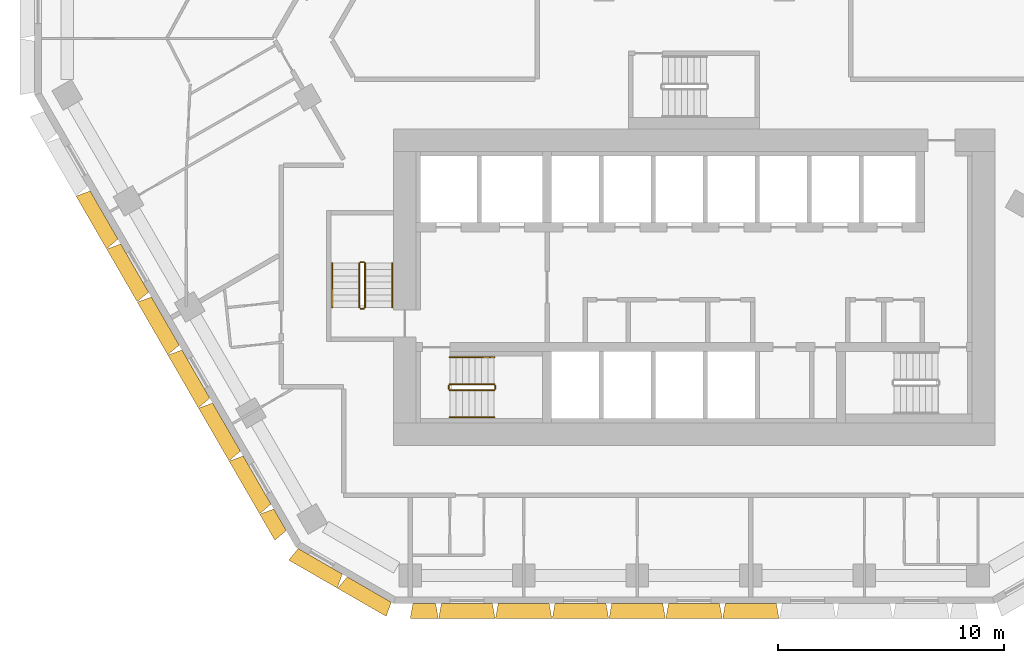
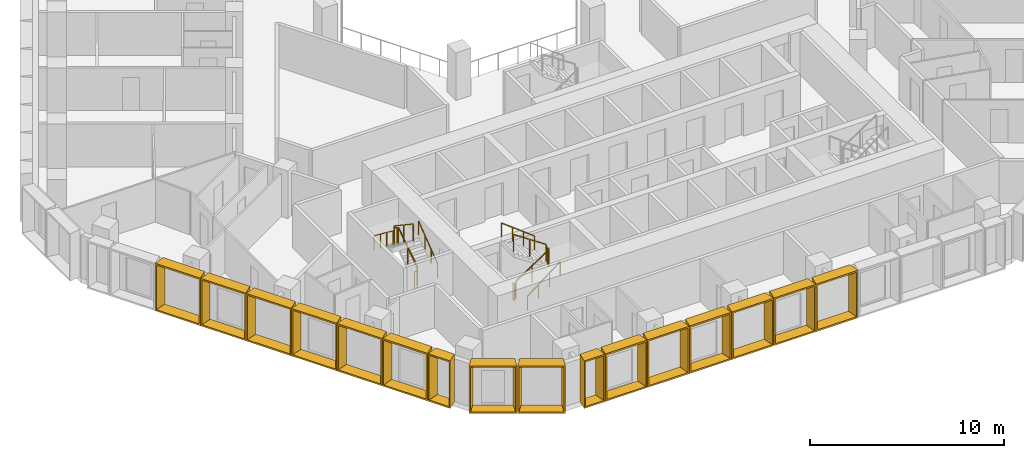
# One storey, part 13 of 16: 16 shading devices, 12 railings.
"""IFC4 building model written with IfcOpenShell, lengths in metres."""

from ifc_helpers import new_model, entity, si_unit, direction, frame, origin, origin_2d, place, context, subcontext, project, spatial, rectangle, extrude, source, transform, mapped, material, type_object, type_shapes, element, save


model = new_model("IFC4")

# Units and contexts
model_context = context("Model", 3, precision=1e-05, world=origin(), true_north=direction((0.0, 1.0)))
body_context = subcontext(model_context, "Body", "Model", "MODEL_VIEW")
ifc_project = project(units=[si_unit("LENGTHUNIT", "METRE"), si_unit("AREAUNIT", "SQUARE_METRE"), si_unit("VOLUMEUNIT", "CUBIC_METRE"), si_unit("PLANEANGLEUNIT", "RADIAN"), si_unit("MASSUNIT", "GRAM", prefix="KILO")], contexts=[model_context])

# Site, building, storey
site_placement = place(None, origin())
site = spatial("IfcSite", under=ifc_project, at=site_placement, CompositionType="ELEMENT")
building_placement = place(site_placement, origin())
building = spatial("IfcBuilding", under=site, at=building_placement, Name="Beryl Residences", CompositionType="ELEMENT")
storey_placement = place(building_placement, frame((0.0, 0.0, 96.0)))
storey = spatial("IfcBuildingStorey", under=building, at=storey_placement, Name="L29", CompositionType="ELEMENT", Elevation=96.0)

# Shading devices
ifc_material_1 = material(Name="Aluminium pale anodised", Category="aluminium")
shading_device_type_1 = type_object("IfcShadingDeviceType", Name="FR126-65A OUTER SKIN frame 650 mm deep, splay 10/10 deg, 1260 x 3000 mm cell", PredefinedType="USERDEFINED", material=ifc_material_1)
cartesian_point_1 = entity("IfcCartesianPoint", [-0.5048828125, 0.0])
cartesian_point_2 = entity("IfcCartesianPoint", [-0.423828125, 0.10009765625])
cartesian_point_3 = entity("IfcCartesianPoint", [-0.61962890625, 0.0])
cartesian_point_4 = entity("IfcCartesianPoint", [-0.538330078125, 0.10009765625])
shared_shape_1 = source(origin(), body_context, "Body", "SweptSolid", [
    entity("IfcExtrudedAreaSolidTapered", entity("IfcArbitraryProfileDefWithVoids", "AREA", None, entity("IfcPolyline", [cartesian_point_1, entity("IfcCartesianPoint", [0.5048828125, 0.0]), entity("IfcCartesianPoint", [0.5048828125, 3.0]), entity("IfcCartesianPoint", [-0.5048828125, 3.0]), cartesian_point_1]), [entity("IfcPolyline", [cartesian_point_2, entity("IfcCartesianPoint", [0.423828125, 0.10009765625]), entity("IfcCartesianPoint", [0.423828125, 2.89990234375]), entity("IfcCartesianPoint", [-0.423828125, 2.89990234375]), cartesian_point_2])]), entity("IfcAxis2Placement3D", entity("IfcCartesianPoint", [0.0, 0.0, 0.0]), entity("IfcDirection", [0.0, 1.0, 0.0]), entity("IfcDirection", [-1.0, 0.0, 0.0])), entity("IfcDirection", [0.0, 0.0, 1.0]), 0.64990234375, entity("IfcArbitraryProfileDefWithVoids", "AREA", None, entity("IfcPolyline", [cartesian_point_3, entity("IfcCartesianPoint", [0.61962890625, 0.0]), entity("IfcCartesianPoint", [0.61962890625, 3.0]), entity("IfcCartesianPoint", [-0.61962890625, 3.0]), cartesian_point_3]), [entity("IfcPolyline", [cartesian_point_4, entity("IfcCartesianPoint", [0.538330078125, 0.10009765625]), entity("IfcCartesianPoint", [0.538330078125, 2.89990234375]), entity("IfcCartesianPoint", [-0.538330078125, 2.89990234375]), cartesian_point_4])])),
])
type_shapes(shading_device_type_1, [shared_shape_1])
shading_device_1_placement = place(storey_placement, frame((-11.928955078125, -26.0, 0.0), z_axis=(0.0, 0.0, 1.0), x_axis=(-1.0, 0.0, 0.0)))
element("IfcShadingDevice", 1, at=shading_device_1_placement, inside=storey, type_object=shading_device_type_1, Name="FR126-65A frame L29 S 1", ObjectType="OUTER SKIN", PredefinedType="USERDEFINED", context=body_context, shape_type="MappedRepresentation", body=[
    mapped(shared_shape_1, transform((0.0, 0.0, 0.0))),
])
ifc_material_2 = material(Name="Aluminium pale anodised", Category="aluminium")
shading_device_type_2 = type_object("IfcShadingDeviceType", Name="FR135-65A OUTER SKIN frame 650 mm deep, splay 10/10 deg, 1350 x 3000 mm cell", PredefinedType="USERDEFINED", material=ifc_material_2)
cartesian_point_5 = entity("IfcCartesianPoint", [-0.550048828125, 0.0])
cartesian_point_6 = entity("IfcCartesianPoint", [-0.46875, 0.10009765625])
cartesian_point_7 = entity("IfcCartesianPoint", [-0.66455078125, 0.0])
cartesian_point_8 = entity("IfcCartesianPoint", [-0.58349609375, 0.10009765625])
shared_shape_2 = source(origin(), body_context, "Body", "SweptSolid", [
    entity("IfcExtrudedAreaSolidTapered", entity("IfcArbitraryProfileDefWithVoids", "AREA", None, entity("IfcPolyline", [cartesian_point_5, entity("IfcCartesianPoint", [0.550048828125, 0.0]), entity("IfcCartesianPoint", [0.550048828125, 3.0]), entity("IfcCartesianPoint", [-0.550048828125, 3.0]), cartesian_point_5]), [entity("IfcPolyline", [cartesian_point_6, entity("IfcCartesianPoint", [0.46875, 0.10009765625]), entity("IfcCartesianPoint", [0.46875, 2.89990234375]), entity("IfcCartesianPoint", [-0.46875, 2.89990234375]), cartesian_point_6])]), entity("IfcAxis2Placement3D", entity("IfcCartesianPoint", [0.0, 0.0, 0.0]), entity("IfcDirection", [0.0, 1.0, 0.0]), entity("IfcDirection", [-1.0, 0.0, 0.0])), entity("IfcDirection", [0.0, 0.0, 1.0]), 0.64990234375, entity("IfcArbitraryProfileDefWithVoids", "AREA", None, entity("IfcPolyline", [cartesian_point_7, entity("IfcCartesianPoint", [0.66455078125, 0.0]), entity("IfcCartesianPoint", [0.66455078125, 3.0]), entity("IfcCartesianPoint", [-0.66455078125, 3.0]), cartesian_point_7]), [entity("IfcPolyline", [cartesian_point_8, entity("IfcCartesianPoint", [0.58349609375, 0.10009765625]), entity("IfcCartesianPoint", [0.58349609375, 2.89990234375]), entity("IfcCartesianPoint", [-0.58349609375, 2.89990234375]), cartesian_point_8])])),
])
type_shapes(shading_device_type_2, [shared_shape_2])
shading_device_2_placement = place(storey_placement, frame((-18.30810546875, -22.2900390625, 0.0), z_axis=(0.0, 0.0, 1.0), x_axis=(-0.5, 0.866025403784, 0.0)))
element("IfcShadingDevice", 2, at=shading_device_2_placement, inside=storey, type_object=shading_device_type_2, Name="FR135-65A frame L29 SW 9", ObjectType="OUTER SKIN", PredefinedType="USERDEFINED", context=body_context, shape_type="MappedRepresentation", body=[
    mapped(shared_shape_2, transform((0.0, 0.0, 0.0))),
])
ifc_material_3 = material(Name="Aluminium pale anodised", Category="aluminium")
shading_device_type_3 = type_object("IfcShadingDeviceType", Name="FR250-65A OUTER SKIN frame 650 mm deep, splay 10/10 deg, 2500 x 3000 mm cell", PredefinedType="USERDEFINED", material=ifc_material_3)
cartesian_point_9 = entity("IfcCartesianPoint", [-1.125, 0.0])
cartesian_point_10 = entity("IfcCartesianPoint", [-1.043701171875, 0.10009765625])
cartesian_point_11 = entity("IfcCartesianPoint", [-1.239501953125, 0.0])
cartesian_point_12 = entity("IfcCartesianPoint", [-1.158447265625, 0.10009765625])
shared_shape_3 = source(origin(), body_context, "Body", "SweptSolid", [
    entity("IfcExtrudedAreaSolidTapered", entity("IfcArbitraryProfileDefWithVoids", "AREA", None, entity("IfcPolyline", [cartesian_point_9, entity("IfcCartesianPoint", [1.125, 0.0]), entity("IfcCartesianPoint", [1.125, 3.0]), entity("IfcCartesianPoint", [-1.125, 3.0]), cartesian_point_9]), [entity("IfcPolyline", [cartesian_point_10, entity("IfcCartesianPoint", [1.043701171875, 0.10009765625]), entity("IfcCartesianPoint", [1.043701171875, 2.89990234375]), entity("IfcCartesianPoint", [-1.043701171875, 2.89990234375]), cartesian_point_10])]), entity("IfcAxis2Placement3D", entity("IfcCartesianPoint", [0.0, 0.0, 0.0]), entity("IfcDirection", [0.0, 1.0, 0.0]), entity("IfcDirection", [-1.0, 0.0, 0.0])), entity("IfcDirection", [0.0, 0.0, 1.0]), 0.64990234375, entity("IfcArbitraryProfileDefWithVoids", "AREA", None, entity("IfcPolyline", [cartesian_point_11, entity("IfcCartesianPoint", [1.239501953125, 0.0]), entity("IfcCartesianPoint", [1.239501953125, 3.0]), entity("IfcCartesianPoint", [-1.239501953125, 3.0]), cartesian_point_11]), [entity("IfcPolyline", [cartesian_point_12, entity("IfcCartesianPoint", [1.158447265625, 0.10009765625]), entity("IfcCartesianPoint", [1.158447265625, 2.89990234375]), entity("IfcCartesianPoint", [-1.158447265625, 2.89990234375]), cartesian_point_12])])),
])
type_shapes(shading_device_type_3, [shared_shape_3])
for number, where, z_axis, x_axis, name in (
    (3, (-16.527099609375, -24.125, 0.0), (0.0, 0.0, 1.0), (-0.866025403784, 0.5, 0.0), "FR250-65A frame L29 SW-S 1"),
    (4, (-14.361083984375, -25.375, 0.0), (0.0, 0.0, 1.0), (-0.866025403784, 0.5, 0.0), "FR250-65A frame L29 SW-S 2"),
):
    element("IfcShadingDevice", number, at=place(storey_placement, frame(where, z_axis=z_axis, x_axis=x_axis)), inside=storey, type_object=shading_device_type_3, Name=name, ObjectType="OUTER SKIN", PredefinedType="USERDEFINED", context=body_context, shape_type="MappedRepresentation", body=[
        mapped(shared_shape_3, transform((0.0, 0.0, 0.0))),
    ])
ifc_material_4 = material(Name="Aluminium pale anodised", Category="aluminium")
shading_device_type_4 = type_object("IfcShadingDeviceType", Name="FR251-65A OUTER SKIN frame 650 mm deep, splay 10/10 deg, 2510 x 3000 mm cell", PredefinedType="USERDEFINED", material=ifc_material_4)
cartesian_point_13 = entity("IfcCartesianPoint", [-1.1298828125, 0.0])
cartesian_point_14 = entity("IfcCartesianPoint", [-1.048828125, 0.10009765625])
cartesian_point_15 = entity("IfcCartesianPoint", [-1.24462890625, 0.0])
cartesian_point_16 = entity("IfcCartesianPoint", [-1.163330078125, 0.10009765625])
shared_shape_4 = source(origin(), body_context, "Body", "SweptSolid", [
    entity("IfcExtrudedAreaSolidTapered", entity("IfcArbitraryProfileDefWithVoids", "AREA", None, entity("IfcPolyline", [cartesian_point_13, entity("IfcCartesianPoint", [1.1298828125, 0.0]), entity("IfcCartesianPoint", [1.1298828125, 3.0]), entity("IfcCartesianPoint", [-1.1298828125, 3.0]), cartesian_point_13]), [entity("IfcPolyline", [cartesian_point_14, entity("IfcCartesianPoint", [1.048828125, 0.10009765625]), entity("IfcCartesianPoint", [1.048828125, 2.89990234375]), entity("IfcCartesianPoint", [-1.048828125, 2.89990234375]), cartesian_point_14])]), entity("IfcAxis2Placement3D", entity("IfcCartesianPoint", [0.0, 0.0, 0.0]), entity("IfcDirection", [0.0, 1.0, 0.0]), entity("IfcDirection", [-1.0, 0.0, 0.0])), entity("IfcDirection", [0.0, 0.0, 1.0]), 0.64990234375, entity("IfcArbitraryProfileDefWithVoids", "AREA", None, entity("IfcPolyline", [cartesian_point_15, entity("IfcCartesianPoint", [1.24462890625, 0.0]), entity("IfcCartesianPoint", [1.24462890625, 3.0]), entity("IfcCartesianPoint", [-1.24462890625, 3.0]), cartesian_point_15]), [entity("IfcPolyline", [cartesian_point_16, entity("IfcCartesianPoint", [1.163330078125, 0.10009765625]), entity("IfcCartesianPoint", [1.163330078125, 2.89990234375]), entity("IfcCartesianPoint", [-1.163330078125, 2.89990234375]), cartesian_point_16])])),
])
type_shapes(shading_device_type_4, [shared_shape_4])
for number, where, z_axis, x_axis, name in (
    (5, (-10.0458984375, -26.0, 0.0), (0.0, 0.0, 1.0), (-1.0, 0.0, 0.0), "FR251-65A frame L29 S 2"),
    (6, (-7.533935546875, -26.0, 0.0), (0.0, 0.0, 1.0), (-1.0, 0.0, 0.0), "FR251-65A frame L29 S 3"),
    (7, (-5.02197265625, -26.0, 0.0), (0.0, 0.0, 1.0), (-1.0, 0.0, 0.0), "FR251-65A frame L29 S 4"),
    (8, (-2.510986328125, -26.0, 0.0), (0.0, 0.0, 1.0), (-1.0, 0.0, 0.0), "FR251-65A frame L29 S 5"),
    (9, (0.0, -26.0, 0.0), (0.0, 0.0, 1.0), (-1.0, 0.0, 0.0), "FR251-65A frame L29 S 6"),
    (10, (2.511962890625, -26.0, 0.0), (0.0, 0.0, 1.0), (-1.0, 0.0, 0.0), "FR251-65A frame L29 S 7"),
):
    element("IfcShadingDevice", number, at=place(storey_placement, frame(where, z_axis=z_axis, x_axis=x_axis)), inside=storey, type_object=shading_device_type_4, Name=name, ObjectType="OUTER SKIN", PredefinedType="USERDEFINED", context=body_context, shape_type="MappedRepresentation", body=[
        mapped(shared_shape_4, transform((0.0, 0.0, 0.0))),
    ])
ifc_material_5 = material(Name="Aluminium pale anodised", Category="aluminium")
shading_device_type_5 = type_object("IfcShadingDeviceType", Name="FR271-65A OUTER SKIN frame 650 mm deep, splay 10/10 deg, 2710 x 3000 mm cell", PredefinedType="USERDEFINED", material=ifc_material_5)
cartesian_point_17 = entity("IfcCartesianPoint", [-1.22998046875, 0.0])
cartesian_point_18 = entity("IfcCartesianPoint", [-1.148681640625, 0.10009765625])
cartesian_point_19 = entity("IfcCartesianPoint", [-1.3447265625, 0.0])
cartesian_point_20 = entity("IfcCartesianPoint", [-1.263427734375, 0.10009765625])
shared_shape_5 = source(origin(), body_context, "Body", "SweptSolid", [
    entity("IfcExtrudedAreaSolidTapered", entity("IfcArbitraryProfileDefWithVoids", "AREA", None, entity("IfcPolyline", [cartesian_point_17, entity("IfcCartesianPoint", [1.22998046875, 0.0]), entity("IfcCartesianPoint", [1.22998046875, 3.0]), entity("IfcCartesianPoint", [-1.22998046875, 3.0]), cartesian_point_17]), [entity("IfcPolyline", [cartesian_point_18, entity("IfcCartesianPoint", [1.148681640625, 0.10009765625]), entity("IfcCartesianPoint", [1.148681640625, 2.89990234375]), entity("IfcCartesianPoint", [-1.148681640625, 2.89990234375]), cartesian_point_18])]), entity("IfcAxis2Placement3D", entity("IfcCartesianPoint", [0.0, 0.0, 0.0]), entity("IfcDirection", [0.0, 1.0, 0.0]), entity("IfcDirection", [-1.0, 0.0, 0.0])), entity("IfcDirection", [0.0, 0.0, 1.0]), 0.64990234375, entity("IfcArbitraryProfileDefWithVoids", "AREA", None, entity("IfcPolyline", [cartesian_point_19, entity("IfcCartesianPoint", [1.3447265625, 0.0]), entity("IfcCartesianPoint", [1.3447265625, 3.0]), entity("IfcCartesianPoint", [-1.3447265625, 3.0]), cartesian_point_19]), [entity("IfcPolyline", [cartesian_point_20, entity("IfcCartesianPoint", [1.263427734375, 0.10009765625]), entity("IfcCartesianPoint", [1.263427734375, 2.89990234375]), entity("IfcCartesianPoint", [-1.263427734375, 2.89990234375]), cartesian_point_20])])),
])
type_shapes(shading_device_type_5, [shared_shape_5])
for number, where, z_axis, x_axis, name in (
    (11, (-26.090087890625, -8.81201171875, 0.0), (0.0, 0.0, 1.0), (-0.5, 0.866025403784, 0.0), "FR271-65A frame L29 SW 3"),
    (12, (-24.736083984375, -11.156005859375, 0.0), (0.0, 0.0, 1.0), (-0.5, 0.866025403784, 0.0), "FR271-65A frame L29 SW 4"),
    (13, (-23.383056640625, -13.5, 0.0), (0.0, 0.0, 1.0), (-0.5, 0.866025403784, 0.0), "FR271-65A frame L29 SW 5"),
    (14, (-22.030029296875, -15.843994140625, 0.0), (0.0, 0.0, 1.0), (-0.5, 0.866025403784, 0.0), "FR271-65A frame L29 SW 6"),
    (15, (-20.676025390625, -18.18798828125, 0.0), (0.0, 0.0, 1.0), (-0.5, 0.866025403784, 0.0), "FR271-65A frame L29 SW 7"),
    (16, (-19.322998046875, -20.531982421875, 0.0), (0.0, 0.0, 1.0), (-0.5, 0.866025403784, 0.0), "FR271-65A frame L29 SW 8"),
):
    element("IfcShadingDevice", number, at=place(storey_placement, frame(where, z_axis=z_axis, x_axis=x_axis)), inside=storey, type_object=shading_device_type_5, Name=name, ObjectType="OUTER SKIN", PredefinedType="USERDEFINED", context=body_context, shape_type="MappedRepresentation", body=[
        mapped(shared_shape_5, transform((0.0, 0.0, 0.0))),
    ])

# Railings
ifc_material_6 = material(Name="Stainless steel balustrade with glass infill", Category="steel")
railing_type_1 = type_object("IfcRailingType", Name="SG1 stair guard 1100 mm", PredefinedType="GUARDRAIL", material=ifc_material_6)
railing_1_placement = place(storey_placement, frame((-10.800048828125, -16.550048828125, 0.1875)))
element("IfcRailing", 17, at=railing_1_placement, inside=storey, type_object=railing_type_1, Name="L29 ST-1 stair guard 1", PredefinedType="GUARDRAIL", context=body_context, shape_type="SweptSolid", body=[
    extrude(rectangle(XDim=0.048095703125, YDim=0.048095703125, at=origin_2d()), frame((0.0, 0.0, 1.076171875), z_axis=(0.830902050051, 0.0, 0.556418712142), x_axis=(0.0, 1.0, 0.0)), (0.0, 0.0, 1.0), 2.35888671875),
    extrude(rectangle(XDim=0.0419921875, YDim=0.0419921875, at=origin_2d()), origin(), (0.0, 0.0, 1.0), 1.052001953125),
    extrude(rectangle(XDim=0.0419921875, YDim=0.0419921875, at=origin_2d()), frame((0.97998046875, 0.0, 0.65625)), (0.0, 0.0, 1.0), 1.052001953125),
    extrude(rectangle(XDim=0.0419921875, YDim=0.0419921875, at=origin_2d()), frame((1.9599609375, 0.0, 1.3125)), (0.0, 0.0, 1.0), 1.052001953125),
])
railing_2_placement = place(storey_placement, frame((-8.7900390625, -16.5, 1.5)))
element("IfcRailing", 18, at=railing_2_placement, inside=storey, type_object=railing_type_1, Name="L29 ST-1 stair guard 2", PredefinedType="GUARDRAIL", context=body_context, shape_type="SweptSolid", body=[
    extrude(rectangle(XDim=0.048095703125, YDim=0.048095703125, at=origin_2d()), frame((0.0, 0.0, 1.076171875), z_axis=(0.0, 1.0, 0.0), x_axis=(-1.0, 0.0, 0.0)), (0.0, 0.0, 1.0), 0.14990234375),
    extrude(rectangle(XDim=0.0419921875, YDim=0.0419921875, at=origin_2d()), origin(), (0.0, 0.0, 1.0), 1.052001953125),
    extrude(rectangle(XDim=0.0419921875, YDim=0.0419921875, at=origin_2d()), frame((0.0, 0.14990234375, 0.0)), (0.0, 0.0, 1.0), 1.052001953125),
])
railing_3_placement = place(storey_placement, frame((-8.840087890625, -16.300048828125, 1.6875)))
element("IfcRailing", 19, at=railing_3_placement, inside=storey, type_object=railing_type_1, Name="L29 ST-1 stair guard 3", PredefinedType="GUARDRAIL", context=body_context, shape_type="SweptSolid", body=[
    extrude(rectangle(XDim=0.048095703125, YDim=0.048095703125, at=origin_2d()), frame((0.0, 0.0, 1.076171875), z_axis=(-0.830902050051, 0.0, 0.556418712142), x_axis=(0.0, -1.0, 0.0)), (0.0, 0.0, 1.0), 2.35888671875),
    extrude(rectangle(XDim=0.0419921875, YDim=0.0419921875, at=origin_2d()), origin(), (0.0, 0.0, 1.0), 1.052001953125),
    extrude(rectangle(XDim=0.0419921875, YDim=0.0419921875, at=origin_2d()), frame((-0.97998046875, 0.0, 0.65625)), (0.0, 0.0, 1.0), 1.052001953125),
    extrude(rectangle(XDim=0.0419921875, YDim=0.0419921875, at=origin_2d()), frame((-1.9599609375, 0.0, 1.3125)), (0.0, 0.0, 1.0), 1.052001953125),
])
railing_4_placement = place(storey_placement, frame((-10.85009765625, -16.5, 0.0)))
element("IfcRailing", 20, at=railing_4_placement, inside=storey, type_object=railing_type_1, Name="L29 ST-1 stair guard 4", PredefinedType="GUARDRAIL", context=body_context, shape_type="SweptSolid", body=[
    extrude(rectangle(XDim=0.048095703125, YDim=0.048095703125, at=origin_2d()), frame((0.0, 0.0, 1.076171875), z_axis=(0.0, 1.0, 0.0), x_axis=(-1.0, 0.0, 0.0)), (0.0, 0.0, 1.0), 0.14990234375),
    extrude(rectangle(XDim=0.0419921875, YDim=0.0419921875, at=origin_2d()), origin(), (0.0, 0.0, 1.0), 1.052001953125),
    extrude(rectangle(XDim=0.0419921875, YDim=0.0419921875, at=origin_2d()), frame((0.0, 0.14990234375, 0.0)), (0.0, 0.0, 1.0), 1.052001953125),
])
railing_5_placement = place(storey_placement, frame((-14.550048828125, -12.89990234375, 0.1875)))
element("IfcRailing", 21, at=railing_5_placement, inside=storey, type_object=railing_type_1, Name="L29 ST-2 stair guard 1", PredefinedType="GUARDRAIL", context=body_context, shape_type="SweptSolid", body=[
    extrude(rectangle(XDim=0.048095703125, YDim=0.048095703125, at=origin_2d()), frame((0.0, 0.0, 1.076171875), z_axis=(0.0, 0.830902050051, 0.556418712142), x_axis=(-1.0, 0.0, 0.0)), (0.0, 0.0, 1.0), 2.35888671875),
    extrude(rectangle(XDim=0.0419921875, YDim=0.0419921875, at=origin_2d()), origin(), (0.0, 0.0, 1.0), 1.052001953125),
    extrude(rectangle(XDim=0.0419921875, YDim=0.0419921875, at=origin_2d()), frame((0.0, 0.97998046875, 0.65625)), (0.0, 0.0, 1.0), 1.052001953125),
    extrude(rectangle(XDim=0.0419921875, YDim=0.0419921875, at=origin_2d()), frame((0.0, 1.9599609375, 1.3125)), (0.0, 0.0, 1.0), 1.052001953125),
])
railing_6_placement = place(storey_placement, frame((-14.60009765625, -10.889892578125, 1.5)))
element("IfcRailing", 22, at=railing_6_placement, inside=storey, type_object=railing_type_1, Name="L29 ST-2 stair guard 2", PredefinedType="GUARDRAIL", context=body_context, shape_type="SweptSolid", body=[
    extrude(rectangle(XDim=0.048095703125, YDim=0.048095703125, at=origin_2d()), frame((0.0, 0.0, 1.076171875), z_axis=(-1.0, 0.0, 0.0), x_axis=(0.0, -1.0, 0.0)), (0.0, 0.0, 1.0), 0.14990234375),
    extrude(rectangle(XDim=0.0419921875, YDim=0.0419921875, at=origin_2d()), origin(), (0.0, 0.0, 1.0), 1.052001953125),
    extrude(rectangle(XDim=0.0419921875, YDim=0.0419921875, at=origin_2d()), frame((-0.14990234375, 0.0, 0.0)), (0.0, 0.0, 1.0), 1.052001953125),
])
railing_7_placement = place(storey_placement, frame((-14.800048828125, -10.93994140625, 1.6875)))
element("IfcRailing", 23, at=railing_7_placement, inside=storey, type_object=railing_type_1, Name="L29 ST-2 stair guard 3", PredefinedType="GUARDRAIL", context=body_context, shape_type="SweptSolid", body=[
    extrude(rectangle(XDim=0.048095703125, YDim=0.048095703125, at=origin_2d()), frame((0.0, 0.0, 1.076171875), z_axis=(0.0, -0.830902050051, 0.556418712142), x_axis=(1.0, 0.0, 0.0)), (0.0, 0.0, 1.0), 2.35888671875),
    extrude(rectangle(XDim=0.0419921875, YDim=0.0419921875, at=origin_2d()), origin(), (0.0, 0.0, 1.0), 1.052001953125),
    extrude(rectangle(XDim=0.0419921875, YDim=0.0419921875, at=origin_2d()), frame((0.0, -0.97998046875, 0.65625)), (0.0, 0.0, 1.0), 1.052001953125),
    extrude(rectangle(XDim=0.0419921875, YDim=0.0419921875, at=origin_2d()), frame((0.0, -1.9599609375, 1.3125)), (0.0, 0.0, 1.0), 1.052001953125),
])
railing_8_placement = place(storey_placement, frame((-14.60009765625, -12.949951171875, 0.0)))
element("IfcRailing", 24, at=railing_8_placement, inside=storey, type_object=railing_type_1, Name="L29 ST-2 stair guard 4", PredefinedType="GUARDRAIL", context=body_context, shape_type="SweptSolid", body=[
    extrude(rectangle(XDim=0.048095703125, YDim=0.048095703125, at=origin_2d()), frame((0.0, 0.0, 1.076171875), z_axis=(-1.0, 0.0, 0.0), x_axis=(0.0, -1.0, 0.0)), (0.0, 0.0, 1.0), 0.14990234375),
    extrude(rectangle(XDim=0.0419921875, YDim=0.0419921875, at=origin_2d()), origin(), (0.0, 0.0, 1.0), 1.052001953125),
    extrude(rectangle(XDim=0.0419921875, YDim=0.0419921875, at=origin_2d()), frame((-0.14990234375, 0.0, 0.0)), (0.0, 0.0, 1.0), 1.052001953125),
])
ifc_material_7 = material(Name="Stainless steel handrail", Category="steel")
railing_type_2 = type_object("IfcRailingType", Name="SRL1 stair handrail 900 mm", PredefinedType="HANDRAIL", material=ifc_material_7)
railing_9_placement = place(storey_placement, frame((-10.800048828125, -17.75, 0.1875)))
element("IfcRailing", 25, at=railing_9_placement, inside=storey, type_object=railing_type_2, Name="L29 ST-1 stair handrail 1", PredefinedType="HANDRAIL", context=body_context, shape_type="SweptSolid", body=[
    extrude(rectangle(XDim=0.048095703125, YDim=0.048095703125, at=origin_2d()), frame((0.0, 0.0, 0.8759765625), z_axis=(0.794121922505, 0.0, 0.607758481798), x_axis=(0.0, 1.0, 0.0)), (0.0, 0.0, 1.0), 2.468017578125),
    extrude(rectangle(XDim=0.0419921875, YDim=0.0419921875, at=origin_2d()), origin(), (0.0, 0.0, 1.0), 0.851806640625),
    extrude(rectangle(XDim=0.0419921875, YDim=0.0419921875, at=origin_2d()), frame((0.6533203125, 0.0, 0.5)), (0.0, 0.0, 1.0), 0.851806640625),
    extrude(rectangle(XDim=0.0419921875, YDim=0.0419921875, at=origin_2d()), frame((1.306640625, 0.0, 1.0)), (0.0, 0.0, 1.0), 0.851806640625),
    extrude(rectangle(XDim=0.0419921875, YDim=0.0419921875, at=origin_2d()), frame((1.9599609375, 0.0, 1.5)), (0.0, 0.0, 1.0), 0.851806640625),
])
railing_10_placement = place(storey_placement, frame((-8.840087890625, -15.10009765625, 1.6875)))
element("IfcRailing", 26, at=railing_10_placement, inside=storey, type_object=railing_type_2, Name="L29 ST-1 stair handrail 2", PredefinedType="HANDRAIL", context=body_context, shape_type="SweptSolid", body=[
    extrude(rectangle(XDim=0.048095703125, YDim=0.048095703125, at=origin_2d()), frame((0.0, 0.0, 0.8759765625), z_axis=(-0.794121922505, 0.0, 0.607758481798), x_axis=(0.0, -1.0, 0.0)), (0.0, 0.0, 1.0), 2.468017578125),
    extrude(rectangle(XDim=0.0419921875, YDim=0.0419921875, at=origin_2d()), origin(), (0.0, 0.0, 1.0), 0.851806640625),
    extrude(rectangle(XDim=0.0419921875, YDim=0.0419921875, at=origin_2d()), frame((-0.6533203125, 0.0, 0.5)), (0.0, 0.0, 1.0), 0.851806640625),
    extrude(rectangle(XDim=0.0419921875, YDim=0.0419921875, at=origin_2d()), frame((-1.306640625, 0.0, 1.0)), (0.0, 0.0, 1.0), 0.851806640625),
    extrude(rectangle(XDim=0.0419921875, YDim=0.0419921875, at=origin_2d()), frame((-1.9599609375, 0.0, 1.5)), (0.0, 0.0, 1.0), 0.851806640625),
])
railing_11_placement = place(storey_placement, frame((-13.35009765625, -12.89990234375, 0.1875)))
element("IfcRailing", 27, at=railing_11_placement, inside=storey, type_object=railing_type_2, Name="L29 ST-2 stair handrail 1", PredefinedType="HANDRAIL", context=body_context, shape_type="SweptSolid", body=[
    extrude(rectangle(XDim=0.048095703125, YDim=0.048095703125, at=origin_2d()), frame((0.0, 0.0, 0.8759765625), z_axis=(0.0, 0.794121922505, 0.607758481798), x_axis=(-1.0, 0.0, 0.0)), (0.0, 0.0, 1.0), 2.468017578125),
    extrude(rectangle(XDim=0.0419921875, YDim=0.0419921875, at=origin_2d()), origin(), (0.0, 0.0, 1.0), 0.851806640625),
    extrude(rectangle(XDim=0.0419921875, YDim=0.0419921875, at=origin_2d()), frame((0.0, 0.6533203125, 0.5)), (0.0, 0.0, 1.0), 0.851806640625),
    extrude(rectangle(XDim=0.0419921875, YDim=0.0419921875, at=origin_2d()), frame((0.0, 1.306640625, 1.0)), (0.0, 0.0, 1.0), 0.851806640625),
    extrude(rectangle(XDim=0.0419921875, YDim=0.0419921875, at=origin_2d()), frame((0.0, 1.9599609375, 1.5)), (0.0, 0.0, 1.0), 0.851806640625),
])
railing_12_placement = place(storey_placement, frame((-16.0, -10.93994140625, 1.6875)))
element("IfcRailing", 28, at=railing_12_placement, inside=storey, type_object=railing_type_2, Name="L29 ST-2 stair handrail 2", PredefinedType="HANDRAIL", context=body_context, shape_type="SweptSolid", body=[
    extrude(rectangle(XDim=0.048095703125, YDim=0.048095703125, at=origin_2d()), frame((0.0, 0.0, 0.8759765625), z_axis=(0.0, -0.794121922505, 0.607758481798), x_axis=(1.0, 0.0, 0.0)), (0.0, 0.0, 1.0), 2.468017578125),
    extrude(rectangle(XDim=0.0419921875, YDim=0.0419921875, at=origin_2d()), origin(), (0.0, 0.0, 1.0), 0.851806640625),
    extrude(rectangle(XDim=0.0419921875, YDim=0.0419921875, at=origin_2d()), frame((0.0, -0.6533203125, 0.5)), (0.0, 0.0, 1.0), 0.851806640625),
    extrude(rectangle(XDim=0.0419921875, YDim=0.0419921875, at=origin_2d()), frame((0.0, -1.306640625, 1.0)), (0.0, 0.0, 1.0), 0.851806640625),
    extrude(rectangle(XDim=0.0419921875, YDim=0.0419921875, at=origin_2d()), frame((0.0, -1.9599609375, 1.5)), (0.0, 0.0, 1.0), 0.851806640625),
])

save(model, "model.ifc")
